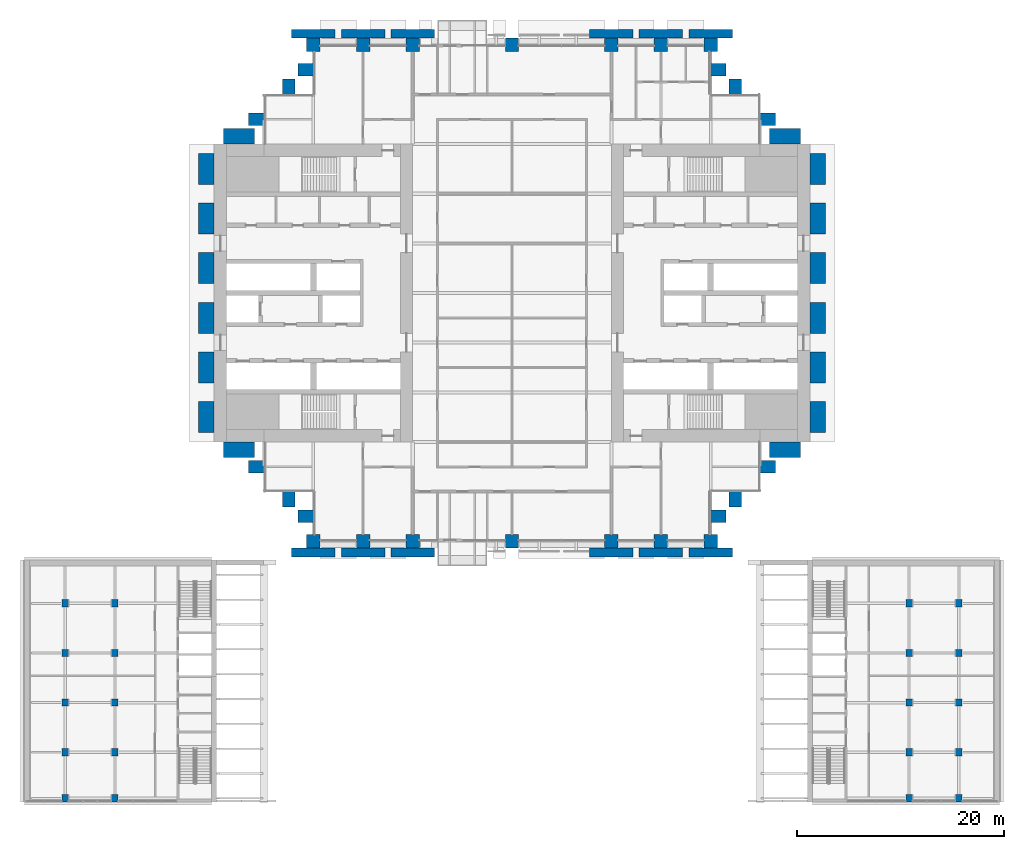
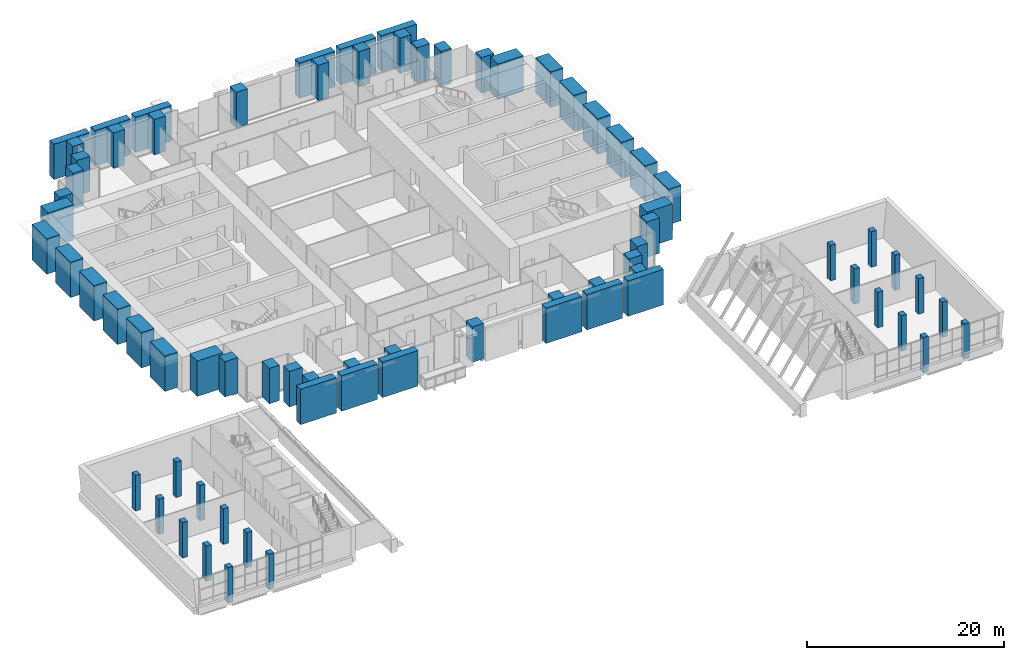
# One storey, part 1 of 32: 74 columns.
"""IFC4 building model written with IfcOpenShell, lengths in metres."""

from ifc_helpers import new_model, si_unit, direction, frame, origin, origin_2d, place, context, subcontext, project, spatial, rectangle, extrude, material, material_profile, profile_set, type_object, element, save


model = new_model("IFC4")

# Units and contexts
model_context = context("Model", 3, precision=1e-05, world=origin(), true_north=direction((0.0, 1.0)))
body_context = subcontext(model_context, "Body", "Model", "MODEL_VIEW")
ifc_project = project(units=[si_unit("LENGTHUNIT", "METRE"), si_unit("AREAUNIT", "SQUARE_METRE"), si_unit("VOLUMEUNIT", "CUBIC_METRE"), si_unit("PLANEANGLEUNIT", "RADIAN"), si_unit("MASSUNIT", "GRAM", prefix="KILO")], contexts=[model_context])

# Site, building, storey
site_placement = place(None, origin())
site = spatial("IfcSite", under=ifc_project, at=site_placement, CompositionType="ELEMENT")
building_placement = place(site_placement, origin())
building = spatial("IfcBuilding", under=site, at=building_placement, Name="Baori Bourse Tower", CompositionType="ELEMENT")
storey_placement = place(building_placement, frame((0.0, 0.0, 21.39990234375)))
storey = spatial("IfcBuildingStorey", under=building, at=storey_placement, Name="L03", CompositionType="ELEMENT", Elevation=21.39990234375)

# Columns
ifc_material_1 = material(Name="Concrete f'c 60 MPa", Category="concrete")
ifc_material_profile_1 = material_profile(ifc_material_1, rectangle(XDim=1.199951171875, YDim=1.5, at=origin_2d()), Name="RC 1200x1500")
ifc_profile_set_1 = profile_set([ifc_material_profile_1], Name="Concrete f'c 60 MPa")
column_type_1 = type_object("IfcColumnType", Name="FN2 Brick pilaster", PredefinedType="PILASTER", material=ifc_profile_set_1)
for number, where, z_axis, x_axis, name in (
    (1, (53.550048828125, 40.800048828125, 0.0), (0.0, 0.0, 1.0), (0.0, 1.0, 0.0), "Brick pilaster L03 1"),
    (2, (50.39990234375, 43.949951171875, 0.0), (0.0, 0.0, 1.0), (1.0, 0.0, 0.0), "Brick pilaster L03 2"),
    (3, (48.75, 45.60009765625, 0.0), (0.0, 0.0, 1.0), (0.0, 1.0, 0.0), "Brick pilaster L03 3"),
    (4, (8.85009765625, 45.60009765625, 0.0), (0.0, 0.0, 1.0), (0.0, 1.0, 0.0), "Brick pilaster L03 4"),
    (5, (7.199951171875, 43.949951171875, 0.0), (0.0, 0.0, 1.0), (1.0, 0.0, 0.0), "Brick pilaster L03 5"),
    (6, (4.050048828125, 40.800048828125, 0.0), (0.0, 0.0, 1.0), (0.0, 1.0, 0.0), "Brick pilaster L03 6"),
    (7, (4.050048828125, 7.199951171875, 0.0), (0.0, 0.0, 1.0), (0.0, 1.0, 0.0), "Brick pilaster L03 7"),
    (8, (7.199951171875, 4.050048828125, 0.0), (0.0, 0.0, 1.0), (1.0, 0.0, 0.0), "Brick pilaster L03 8"),
    (9, (8.85009765625, 2.39990234375, 0.0), (0.0, 0.0, 1.0), (0.0, 1.0, 0.0), "Brick pilaster L03 9"),
    (10, (48.75, 2.39990234375, 0.0), (0.0, 0.0, 1.0), (0.0, 1.0, 0.0), "Brick pilaster L03 10"),
    (11, (50.39990234375, 4.050048828125, 0.0), (0.0, 0.0, 1.0), (1.0, 0.0, 0.0), "Brick pilaster L03 11"),
    (12, (53.550048828125, 7.199951171875, 0.0), (0.0, 0.0, 1.0), (0.0, 1.0, 0.0), "Brick pilaster L03 12"),
):
    element("IfcColumn", number, at=place(storey_placement, frame(where, z_axis=z_axis, x_axis=x_axis)), inside=storey, type_object=column_type_1, Name=name, PredefinedType="PILASTER", context=body_context, shape_type="SweptSolid", body=[
        extrude(rectangle(XDim=1.199951171875, YDim=1.5, at=origin_2d()), origin(), (0.0, 0.0, 1.0), 4.400146484375),
    ])
ifc_material_2 = material(Name="Concrete f'c 60 MPa", Category="concrete")
ifc_material_profile_2 = material_profile(ifc_material_2, rectangle(XDim=4.199951171875, YDim=0.85009765625, at=origin_2d()), Name="RC 4200x850")
ifc_profile_set_2 = profile_set([ifc_material_profile_2], Name="Concrete f'c 60 MPa")
column_type_2 = type_object("IfcColumnType", Name="FN3 Brick pilaster 4200x850", PredefinedType="PILASTER", material=ifc_profile_set_2)
for number, where, z_axis, x_axis, name in (
    (13, (9.60009765625, -1.074951171875, 0.0), (0.0, 0.0, 1.0), (1.0, 0.0, 0.0), "Brick pilaster L03 29"),
    (14, (14.39990234375, -1.074951171875, 0.0), (0.0, 0.0, 1.0), (1.0, 0.0, 0.0), "Brick pilaster L03 30"),
    (15, (19.199951171875, -1.074951171875, 0.0), (0.0, 0.0, 1.0), (1.0, 0.0, 0.0), "Brick pilaster L03 31"),
    (16, (38.39990234375, -1.074951171875, 0.0), (0.0, 0.0, 1.0), (1.0, 0.0, 0.0), "Brick pilaster L03 32"),
    (17, (43.199951171875, -1.074951171875, 0.0), (0.0, 0.0, 1.0), (1.0, 0.0, 0.0), "Brick pilaster L03 33"),
    (18, (48.0, -1.074951171875, 0.0), (0.0, 0.0, 1.0), (1.0, 0.0, 0.0), "Brick pilaster L03 34"),
    (19, (9.60009765625, 49.074951171875, 0.0), (0.0, 0.0, 1.0), (1.0, 0.0, 0.0), "Brick pilaster L03 35"),
    (20, (14.39990234375, 49.074951171875, 0.0), (0.0, 0.0, 1.0), (1.0, 0.0, 0.0), "Brick pilaster L03 36"),
    (21, (19.199951171875, 49.074951171875, 0.0), (0.0, 0.0, 1.0), (1.0, 0.0, 0.0), "Brick pilaster L03 37"),
    (22, (38.39990234375, 49.074951171875, 0.0), (0.0, 0.0, 1.0), (1.0, 0.0, 0.0), "Brick pilaster L03 38"),
    (23, (43.199951171875, 49.074951171875, 0.0), (0.0, 0.0, 1.0), (1.0, 0.0, 0.0), "Brick pilaster L03 39"),
    (24, (48.0, 49.074951171875, 0.0), (0.0, 0.0, 1.0), (1.0, 0.0, 0.0), "Brick pilaster L03 40"),
):
    element("IfcColumn", number, at=place(storey_placement, frame(where, z_axis=z_axis, x_axis=x_axis)), inside=storey, type_object=column_type_2, Name=name, PredefinedType="PILASTER", context=body_context, shape_type="SweptSolid", body=[
        extrude(rectangle(XDim=4.199951171875, YDim=0.85009765625, at=origin_2d()), origin(), (0.0, 0.0, 1.0), 4.400146484375),
    ])
ifc_material_3 = material(Name="Concrete f'c 60 MPa", Category="concrete")
ifc_material_profile_3 = material_profile(ifc_material_3, rectangle(XDim=3.0, YDim=1.5, at=origin_2d()), Name="RC 3000x1500")
ifc_profile_set_3 = profile_set([ifc_material_profile_3], Name="Concrete f'c 60 MPa")
column_type_3 = type_object("IfcColumnType", Name="FN4 Brick flank pilaster 3000x1500", PredefinedType="PILASTER", material=ifc_profile_set_3)
for number, where, z_axis, x_axis, name in (
    (25, (55.199951171875, 8.85009765625, 0.0), (0.0, 0.0, 1.0), (1.0, 0.0, 0.0), "Brick pilaster L03 13"),
    (26, (58.35009765625, 12.0, 0.0), (0.0, 0.0, 1.0), (0.0, 1.0, 0.0), "Brick pilaster L03 14"),
    (27, (58.35009765625, 16.800048828125, 0.0), (0.0, 0.0, 1.0), (0.0, 1.0, 0.0), "Brick pilaster L03 15"),
    (28, (58.35009765625, 21.60009765625, 0.0), (0.0, 0.0, 1.0), (0.0, 1.0, 0.0), "Brick pilaster L03 16"),
    (29, (58.35009765625, 26.39990234375, 0.0), (0.0, 0.0, 1.0), (0.0, 1.0, 0.0), "Brick pilaster L03 17"),
    (30, (58.35009765625, 31.199951171875, 0.0), (0.0, 0.0, 1.0), (0.0, 1.0, 0.0), "Brick pilaster L03 18"),
    (31, (58.35009765625, 36.0, 0.0), (0.0, 0.0, 1.0), (0.0, 1.0, 0.0), "Brick pilaster L03 19"),
    (32, (55.199951171875, 39.14990234375, 0.0), (0.0, 0.0, 1.0), (1.0, 0.0, 0.0), "Brick pilaster L03 20"),
    (33, (2.39990234375, 39.14990234375, 0.0), (0.0, 0.0, 1.0), (1.0, 0.0, 0.0), "Brick pilaster L03 21"),
    (34, (-0.75, 12.0, 0.0), (0.0, 0.0, 1.0), (0.0, 1.0, 0.0), "Brick pilaster L03 22"),
    (35, (-0.75, 16.800048828125, 0.0), (0.0, 0.0, 1.0), (0.0, 1.0, 0.0), "Brick pilaster L03 23"),
    (36, (-0.75, 21.60009765625, 0.0), (0.0, 0.0, 1.0), (0.0, 1.0, 0.0), "Brick pilaster L03 24"),
    (37, (-0.75, 26.39990234375, 0.0), (0.0, 0.0, 1.0), (0.0, 1.0, 0.0), "Brick pilaster L03 25"),
    (38, (-0.75, 31.199951171875, 0.0), (0.0, 0.0, 1.0), (0.0, 1.0, 0.0), "Brick pilaster L03 26"),
    (39, (-0.75, 36.0, 0.0), (0.0, 0.0, 1.0), (0.0, 1.0, 0.0), "Brick pilaster L03 27"),
    (40, (2.39990234375, 8.85009765625, 0.0), (0.0, 0.0, 1.0), (1.0, 0.0, 0.0), "Brick pilaster L03 28"),
):
    element("IfcColumn", number, at=place(storey_placement, frame(where, z_axis=z_axis, x_axis=x_axis)), inside=storey, type_object=column_type_3, Name=name, PredefinedType="PILASTER", context=body_context, shape_type="SweptSolid", body=[
        extrude(rectangle(XDim=3.0, YDim=1.5, at=origin_2d()), origin(), (0.0, 0.0, 1.0), 4.400146484375),
    ])
ifc_material_4 = material(Name="Concrete f'c 70 MPa", Category="concrete")
ifc_material_profile_4 = material_profile(ifc_material_4, rectangle(XDim=1.300048828125, YDim=1.300048828125, at=origin_2d()), Name="RC 1300x1300")
ifc_profile_set_4 = profile_set([ifc_material_profile_4], Name="Concrete f'c 70 MPa")
column_type_4 = type_object("IfcColumnType", Name="Perimeter column RC 1300x1300", PredefinedType="COLUMN", material=ifc_profile_set_4)
for number, where, z_axis, x_axis, name in (
    (41, (9.60009765625, 0.0, 0.0), (0.0, 0.0, 1.0), (1.0, 0.0, 0.0), "Perimeter column L03"),
    (42, (14.39990234375, 0.0, 0.0), (0.0, 0.0, 1.0), (1.0, 0.0, 0.0), "Perimeter column L03"),
    (43, (19.199951171875, 0.0, 0.0), (0.0, 0.0, 1.0), (1.0, 0.0, 0.0), "Perimeter column L03"),
    (44, (28.800048828125, 0.0, 0.0), (0.0, 0.0, 1.0), (1.0, 0.0, 0.0), "Perimeter column L03"),
    (45, (38.39990234375, 0.0, 0.0), (0.0, 0.0, 1.0), (1.0, 0.0, 0.0), "Perimeter column L03"),
    (46, (43.199951171875, 0.0, 0.0), (0.0, 0.0, 1.0), (1.0, 0.0, 0.0), "Perimeter column L03"),
    (47, (48.0, 0.0, 0.0), (0.0, 0.0, 1.0), (1.0, 0.0, 0.0), "Perimeter column L03"),
    (48, (9.60009765625, 48.0, 0.0), (0.0, 0.0, 1.0), (1.0, 0.0, 0.0), "Perimeter column L03"),
    (49, (14.39990234375, 48.0, 0.0), (0.0, 0.0, 1.0), (1.0, 0.0, 0.0), "Perimeter column L03"),
    (50, (19.199951171875, 48.0, 0.0), (0.0, 0.0, 1.0), (1.0, 0.0, 0.0), "Perimeter column L03"),
    (51, (28.800048828125, 48.0, 0.0), (0.0, 0.0, 1.0), (1.0, 0.0, 0.0), "Perimeter column L03"),
    (52, (38.39990234375, 48.0, 0.0), (0.0, 0.0, 1.0), (1.0, 0.0, 0.0), "Perimeter column L03"),
    (53, (43.199951171875, 48.0, 0.0), (0.0, 0.0, 1.0), (1.0, 0.0, 0.0), "Perimeter column L03"),
    (54, (48.0, 48.0, 0.0), (0.0, 0.0, 1.0), (1.0, 0.0, 0.0), "Perimeter column L03"),
):
    element("IfcColumn", number, at=place(storey_placement, frame(where, z_axis=z_axis, x_axis=x_axis)), inside=storey, type_object=column_type_4, Name=name, PredefinedType="COLUMN", context=body_context, shape_type="SweptSolid", body=[
        extrude(rectangle(XDim=1.300048828125, YDim=1.300048828125, at=origin_2d()), origin(), (0.0, 0.0, 1.0), 4.400146484375),
    ])
ifc_material_5 = material(Name="Concrete f'c 40 MPa", Category="concrete")
ifc_material_profile_5 = material_profile(ifc_material_5, rectangle(XDim=0.60009765625, YDim=0.699951171875, at=origin_2d()), Name="Wing column 600")
ifc_profile_set_5 = profile_set([ifc_material_profile_5], Name="Concrete f'c 40 MPa")
column_type_5 = type_object("IfcColumnType", Name="Wing column 600", PredefinedType="COLUMN", material=ifc_profile_set_5)
for number, where, z_axis, x_axis, name in (
    (55, (-14.39990234375, -24.85009765625, 0.0), (0.0, 0.0, 1.0), (1.0, 0.0, 0.0), "wing/L03/Wcol/001"),
    (56, (-14.39990234375, -20.39990234375, 0.0), (0.0, 0.0, 1.0), (1.0, 0.0, 0.0), "wing/L03/Wcol/002"),
    (57, (-14.39990234375, -15.60009765625, 0.0), (0.0, 0.0, 1.0), (1.0, 0.0, 0.0), "wing/L03/Wcol/003"),
    (58, (-14.39990234375, -10.800048828125, 0.0), (0.0, 0.0, 1.0), (1.0, 0.0, 0.0), "wing/L03/Wcol/004"),
    (59, (-14.39990234375, -6.0, 0.0), (0.0, 0.0, 1.0), (1.0, 0.0, 0.0), "wing/L03/Wcol/005"),
    (60, (-9.60009765625, -24.85009765625, 0.0), (0.0, 0.0, 1.0), (1.0, 0.0, 0.0), "wing/L03/Wcol/006"),
    (61, (-9.60009765625, -20.39990234375, 0.0), (0.0, 0.0, 1.0), (1.0, 0.0, 0.0), "wing/L03/Wcol/007"),
    (62, (-9.60009765625, -15.60009765625, 0.0), (0.0, 0.0, 1.0), (1.0, 0.0, 0.0), "wing/L03/Wcol/008"),
    (63, (-9.60009765625, -10.800048828125, 0.0), (0.0, 0.0, 1.0), (1.0, 0.0, 0.0), "wing/L03/Wcol/009"),
    (64, (-9.60009765625, -6.0, 0.0), (0.0, 0.0, 1.0), (1.0, 0.0, 0.0), "wing/L03/Wcol/010"),
    (65, (72.0, -24.85009765625, 0.0), (0.0, 0.0, 1.0), (1.0, 0.0, 0.0), "wing/L03/Ecol/001"),
    (66, (72.0, -20.39990234375, 0.0), (0.0, 0.0, 1.0), (1.0, 0.0, 0.0), "wing/L03/Ecol/002"),
    (67, (72.0, -15.60009765625, 0.0), (0.0, 0.0, 1.0), (1.0, 0.0, 0.0), "wing/L03/Ecol/003"),
    (68, (72.0, -10.800048828125, 0.0), (0.0, 0.0, 1.0), (1.0, 0.0, 0.0), "wing/L03/Ecol/004"),
    (69, (72.0, -6.0, 0.0), (0.0, 0.0, 1.0), (1.0, 0.0, 0.0), "wing/L03/Ecol/005"),
    (70, (67.199951171875, -24.85009765625, 0.0), (0.0, 0.0, 1.0), (1.0, 0.0, 0.0), "wing/L03/Ecol/006"),
    (71, (67.199951171875, -20.39990234375, 0.0), (0.0, 0.0, 1.0), (1.0, 0.0, 0.0), "wing/L03/Ecol/007"),
    (72, (67.199951171875, -15.60009765625, 0.0), (0.0, 0.0, 1.0), (1.0, 0.0, 0.0), "wing/L03/Ecol/008"),
    (73, (67.199951171875, -10.800048828125, 0.0), (0.0, 0.0, 1.0), (1.0, 0.0, 0.0), "wing/L03/Ecol/009"),
    (74, (67.199951171875, -6.0, 0.0), (0.0, 0.0, 1.0), (1.0, 0.0, 0.0), "wing/L03/Ecol/010"),
):
    element("IfcColumn", number, at=place(storey_placement, frame(where, z_axis=z_axis, x_axis=x_axis)), inside=storey, type_object=column_type_5, Name=name, PredefinedType="COLUMN", context=body_context, shape_type="SweptSolid", body=[
        extrude(rectangle(XDim=0.60009765625, YDim=0.699951171875, at=origin_2d()), origin(), (0.0, 0.0, 1.0), 4.400146484375),
    ])

save(model, "model.ifc")
